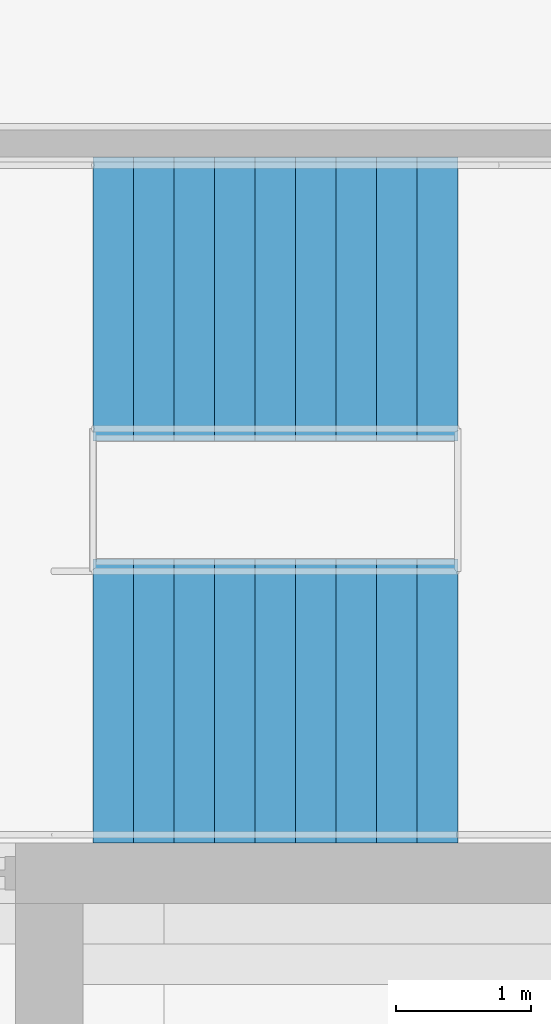
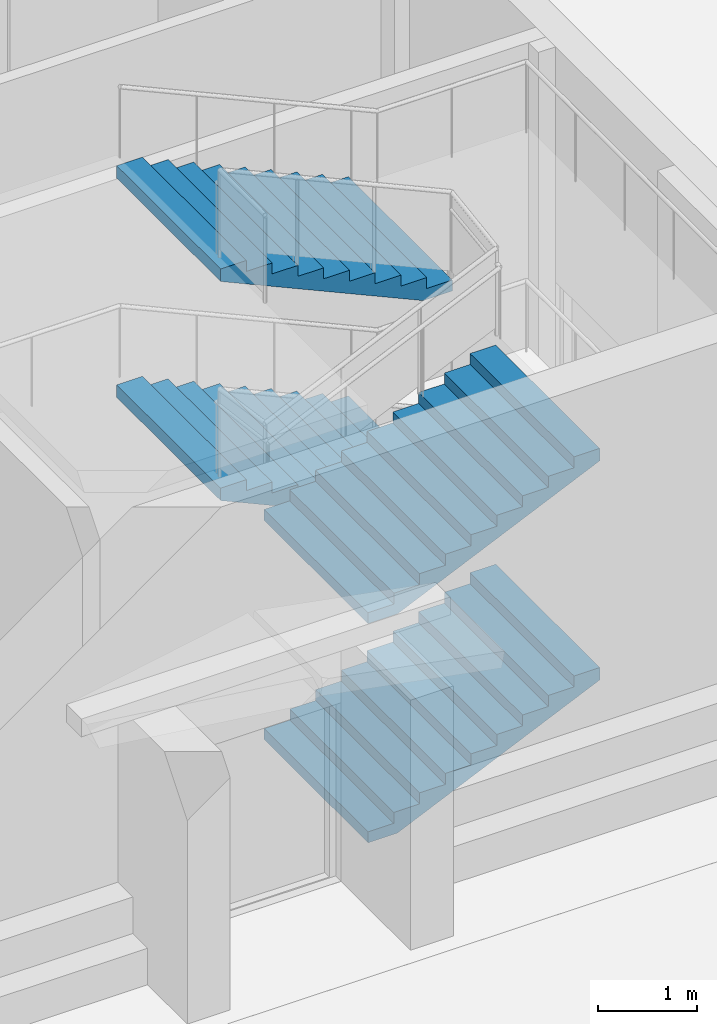
# One storey, part 56 of 74: 4 stair flights, 1 element without a shape of its own.
"""IFC4 building model written with IfcOpenShell, lengths in metres."""

from ifc_helpers import new_model, si_unit, direction, frame, origin, place, context, subcontext, project, spatial, faceted_brep, material, type_object, element, aggregate, save


model = new_model("IFC4")

# Units and contexts
model_context = context("Model", 3, precision=1e-05, world=origin(), true_north=direction((0.0, 1.0)))
body_context = subcontext(model_context, "Body", "Model", "MODEL_VIEW")
ifc_project = project(units=[si_unit("LENGTHUNIT", "METRE"), si_unit("AREAUNIT", "SQUARE_METRE"), si_unit("VOLUMEUNIT", "CUBIC_METRE"), si_unit("PLANEANGLEUNIT", "RADIAN"), si_unit("MASSUNIT", "GRAM", prefix="KILO")], contexts=[model_context])

# Site, building, storey
site_placement = place(None, origin())
site = spatial("IfcSite", under=ifc_project, at=site_placement, CompositionType="ELEMENT")
building_placement = place(site_placement, origin())
building = spatial("IfcBuilding", under=site, at=building_placement, Name="Rulbaag Community and Learning Centre", CompositionType="ELEMENT")
storey_placement = place(building_placement, origin())
storey = spatial("IfcBuildingStorey", under=building, at=storey_placement, Name="L00", CompositionType="ELEMENT", Elevation=0.0)

# Stair, stair flights
ifc_material = material(Name="Concrete M40", Category="concrete")
stair_type = type_object("IfcStairType", Name="ST-2100 STAIR 2100 WIDE", PredefinedType="HALF_TURN_STAIR", material=ifc_material)
stair_placement = place(storey_placement, origin())
stair = element("IfcStair", 1, at=stair_placement, inside=storey, type_object=stair_type, Name="Stair ST-H10 L00", PredefinedType="HALF_TURN_STAIR")
stair_flight_type = type_object("IfcStairFlightType", Name="FL-2100 FLIGHT 2100 WIDE Concrete M40", PredefinedType="STRAIGHT", material=ifc_material)
stair_flight_1_placement = place(storey_placement, frame((162.824951171875, 1.27490234375, 0.0), z_axis=(0.0, 0.0, 1.0), x_axis=(1.0, 0.0, 0.0)))
stair_flight_1 = element("IfcStairFlight", 2, at=stair_flight_1_placement, type_object=stair_flight_type, Name="ST-H10 flight 1", NumberOfRisers=10, NumberOfTreads=9, PredefinedType="STRAIGHT", RiserHeight=0.135, TreadLength=0.3, context=body_context, shape_type="Brep", body=[
    faceted_brep([(0.3408203125, -1.050048828125, 0.0), (2.699951171875, -1.050048828125, 1.0615234375), (2.699951171875, -1.050048828125, 1.215087890625), (2.39990234375, -1.050048828125, 1.215087890625), (2.39990234375, -1.050048828125, 1.080078125), (2.10009765625, -1.050048828125, 1.080078125), (2.10009765625, -1.050048828125, 0.945068359375), (1.800048828125, -1.050048828125, 0.945068359375), (1.800048828125, -1.050048828125, 0.81005859375), (1.5, -1.050048828125, 0.81005859375), (1.5, -1.050048828125, 0.675048828125), (1.199951171875, -1.050048828125, 0.675048828125), (1.199951171875, -1.050048828125, 0.5400390625), (0.89990234375, -1.050048828125, 0.5400390625), (0.89990234375, -1.050048828125, 0.405029296875), (0.60009765625, -1.050048828125, 0.405029296875), (0.60009765625, -1.050048828125, 0.27001953125), (0.300048828125, -1.050048828125, 0.27001953125), (0.300048828125, -1.050048828125, 0.135009765625), (0.0, -1.050048828125, 0.135009765625), (0.0, -1.050048828125, 0.0), (0.0, 1.050048828125, 0.0), (0.0, 1.050048828125, 0.135009765625), (0.300048828125, 1.050048828125, 0.135009765625), (0.300048828125, 1.050048828125, 0.27001953125), (0.60009765625, 1.050048828125, 0.27001953125), (0.60009765625, 1.050048828125, 0.405029296875), (0.89990234375, 1.050048828125, 0.405029296875), (0.89990234375, 1.050048828125, 0.5400390625), (1.199951171875, 1.050048828125, 0.5400390625), (1.199951171875, 1.050048828125, 0.675048828125), (1.5, 1.050048828125, 0.675048828125), (1.5, 1.050048828125, 0.81005859375), (1.800048828125, 1.050048828125, 0.81005859375), (1.800048828125, 1.050048828125, 0.945068359375), (2.10009765625, 1.050048828125, 0.945068359375), (2.10009765625, 1.050048828125, 1.080078125), (2.39990234375, 1.050048828125, 1.080078125), (2.39990234375, 1.050048828125, 1.215087890625), (2.699951171875, 1.050048828125, 1.215087890625), (2.699951171875, 1.050048828125, 1.0615234375), (0.3408203125, 1.050048828125, 0.0), (0.0, -0.52490234375, 0.135009765625), (0.0, -0.52490234375, 0.0), (0.0, 0.0, 0.135009765625), (0.0, 0.0, 0.0), (0.0, 0.52490234375, 0.135009765625), (0.0, 0.52490234375, 0.0), (0.300048828125, -0.52490234375, 0.135009765625), (0.300048828125, 0.0, 0.135009765625), (0.300048828125, 0.52490234375, 0.135009765625), (0.300048828125, -0.52490234375, 0.27001953125), (0.300048828125, 0.0, 0.27001953125), (0.300048828125, 0.52490234375, 0.27001953125), (0.60009765625, -0.52490234375, 0.27001953125), (0.60009765625, 0.0, 0.27001953125), (0.60009765625, 0.52490234375, 0.27001953125), (0.60009765625, -0.52490234375, 0.405029296875), (0.60009765625, 0.0, 0.405029296875), (0.60009765625, 0.52490234375, 0.405029296875), (0.89990234375, -0.52490234375, 0.405029296875), (0.89990234375, 0.0, 0.405029296875), (0.89990234375, 0.52490234375, 0.405029296875), (0.89990234375, -0.52490234375, 0.5400390625), (0.89990234375, 0.0, 0.5400390625), (0.89990234375, 0.52490234375, 0.5400390625), (1.199951171875, -0.52490234375, 0.5400390625), (1.199951171875, 0.0, 0.5400390625), (1.199951171875, 0.52490234375, 0.5400390625), (1.199951171875, -0.52490234375, 0.675048828125), (1.199951171875, 0.0, 0.675048828125), (1.199951171875, 0.52490234375, 0.675048828125), (1.5, -0.52490234375, 0.675048828125), (1.5, 0.0, 0.675048828125), (1.5, 0.52490234375, 0.675048828125), (1.5, -0.52490234375, 0.81005859375), (1.5, 0.0, 0.81005859375), (1.5, 0.52490234375, 0.81005859375), (1.800048828125, -0.52490234375, 0.81005859375), (1.800048828125, 0.0, 0.81005859375), (1.800048828125, 0.52490234375, 0.81005859375), (1.800048828125, -0.52490234375, 0.945068359375), (1.800048828125, 0.0, 0.945068359375), (1.800048828125, 0.52490234375, 0.945068359375), (2.10009765625, -0.52490234375, 0.945068359375), (2.10009765625, 0.0, 0.945068359375), (2.10009765625, 0.52490234375, 0.945068359375), (2.10009765625, -0.52490234375, 1.080078125), (2.10009765625, 0.0, 1.080078125), (2.10009765625, 0.52490234375, 1.080078125), (2.39990234375, -0.52490234375, 1.080078125), (2.39990234375, 0.0, 1.080078125), (2.39990234375, 0.52490234375, 1.080078125), (2.39990234375, -0.52490234375, 1.215087890625), (2.39990234375, 0.0, 1.215087890625), (2.39990234375, 0.52490234375, 1.215087890625), (2.699951171875, -0.52490234375, 1.215087890625), (2.699951171875, 0.0, 1.215087890625), (2.699951171875, 0.52490234375, 1.215087890625), (2.699951171875, -0.52490234375, 1.0615234375), (2.699951171875, 0.0, 1.0615234375), (2.699951171875, 0.52490234375, 1.0615234375), (0.3408203125, -0.52490234375, 0.0), (0.3408203125, 0.0, 0.0), (0.3408203125, 0.52490234375, 0.0)], [[[0, 1, 2, 3, 4, 5, 6, 7, 8, 9, 10, 11, 12, 13, 14, 15, 16, 17, 18, 19, 20]], [[21, 22, 23, 24, 25, 26, 27, 28, 29, 30, 31, 32, 33, 34, 35, 36, 37, 38, 39, 40, 41]], [[20, 19, 42, 43]], [[43, 42, 44, 45]], [[45, 44, 46, 47]], [[47, 46, 22, 21]], [[19, 18, 48, 42]], [[42, 48, 49, 44]], [[44, 49, 50, 46]], [[46, 50, 23, 22]], [[18, 17, 51, 48]], [[48, 51, 52, 49]], [[49, 52, 53, 50]], [[50, 53, 24, 23]], [[17, 16, 54, 51]], [[51, 54, 55, 52]], [[52, 55, 56, 53]], [[53, 56, 25, 24]], [[16, 15, 57, 54]], [[54, 57, 58, 55]], [[55, 58, 59, 56]], [[56, 59, 26, 25]], [[15, 14, 60, 57]], [[57, 60, 61, 58]], [[58, 61, 62, 59]], [[59, 62, 27, 26]], [[14, 13, 63, 60]], [[60, 63, 64, 61]], [[61, 64, 65, 62]], [[62, 65, 28, 27]], [[13, 12, 66, 63]], [[63, 66, 67, 64]], [[64, 67, 68, 65]], [[65, 68, 29, 28]], [[12, 11, 69, 66]], [[66, 69, 70, 67]], [[67, 70, 71, 68]], [[68, 71, 30, 29]], [[11, 10, 72, 69]], [[69, 72, 73, 70]], [[70, 73, 74, 71]], [[71, 74, 31, 30]], [[10, 9, 75, 72]], [[72, 75, 76, 73]], [[73, 76, 77, 74]], [[74, 77, 32, 31]], [[9, 8, 78, 75]], [[75, 78, 79, 76]], [[76, 79, 80, 77]], [[77, 80, 33, 32]], [[8, 7, 81, 78]], [[78, 81, 82, 79]], [[79, 82, 83, 80]], [[80, 83, 34, 33]], [[7, 6, 84, 81]], [[81, 84, 85, 82]], [[82, 85, 86, 83]], [[83, 86, 35, 34]], [[6, 5, 87, 84]], [[84, 87, 88, 85]], [[85, 88, 89, 86]], [[86, 89, 36, 35]], [[5, 4, 90, 87]], [[87, 90, 91, 88]], [[88, 91, 92, 89]], [[89, 92, 37, 36]], [[4, 3, 93, 90]], [[90, 93, 94, 91]], [[91, 94, 95, 92]], [[92, 95, 38, 37]], [[3, 2, 96, 93]], [[93, 96, 97, 94]], [[94, 97, 98, 95]], [[95, 98, 39, 38]], [[2, 1, 99, 96]], [[96, 99, 100, 97]], [[97, 100, 101, 98]], [[98, 101, 40, 39]], [[1, 0, 102, 99]], [[99, 102, 103, 100]], [[100, 103, 104, 101]], [[101, 104, 41, 40]], [[0, 20, 43, 102]], [[102, 43, 45, 103]], [[103, 45, 47, 104]], [[104, 47, 21, 41]]]),
])
stair_flight_2_placement = place(storey_placement, frame((165.52490234375, 4.25, 1.35009765625), z_axis=(0.0, 0.0, 1.0), x_axis=(-1.0, 0.0, 0.0)))
stair_flight_2 = element("IfcStairFlight", 3, at=stair_flight_2_placement, type_object=stair_flight_type, Name="ST-H10 flight 2", NumberOfRisers=10, NumberOfTreads=9, PredefinedType="STRAIGHT", RiserHeight=0.135, TreadLength=0.3, context=body_context, shape_type="Brep", body=[
    faceted_brep([(0.3408203125, -1.050048828125, 0.0), (2.699951171875, -1.050048828125, 1.0615234375), (2.699951171875, -1.050048828125, 1.215087890625), (2.39990234375, -1.050048828125, 1.215087890625), (2.39990234375, -1.050048828125, 1.080078125), (2.10009765625, -1.050048828125, 1.080078125), (2.10009765625, -1.050048828125, 0.945068359375), (1.800048828125, -1.050048828125, 0.945068359375), (1.800048828125, -1.050048828125, 0.81005859375), (1.5, -1.050048828125, 0.81005859375), (1.5, -1.050048828125, 0.675048828125), (1.199951171875, -1.050048828125, 0.675048828125), (1.199951171875, -1.050048828125, 0.5400390625), (0.89990234375, -1.050048828125, 0.5400390625), (0.89990234375, -1.050048828125, 0.405029296875), (0.60009765625, -1.050048828125, 0.405029296875), (0.60009765625, -1.050048828125, 0.27001953125), (0.300048828125, -1.050048828125, 0.27001953125), (0.300048828125, -1.050048828125, 0.135009765625), (0.0, -1.050048828125, 0.135009765625), (0.0, -1.050048828125, 0.0), (0.0, 1.050048828125, 0.0), (0.0, 1.050048828125, 0.135009765625), (0.300048828125, 1.050048828125, 0.135009765625), (0.300048828125, 1.050048828125, 0.27001953125), (0.60009765625, 1.050048828125, 0.27001953125), (0.60009765625, 1.050048828125, 0.405029296875), (0.89990234375, 1.050048828125, 0.405029296875), (0.89990234375, 1.050048828125, 0.5400390625), (1.199951171875, 1.050048828125, 0.5400390625), (1.199951171875, 1.050048828125, 0.675048828125), (1.5, 1.050048828125, 0.675048828125), (1.5, 1.050048828125, 0.81005859375), (1.800048828125, 1.050048828125, 0.81005859375), (1.800048828125, 1.050048828125, 0.945068359375), (2.10009765625, 1.050048828125, 0.945068359375), (2.10009765625, 1.050048828125, 1.080078125), (2.39990234375, 1.050048828125, 1.080078125), (2.39990234375, 1.050048828125, 1.215087890625), (2.699951171875, 1.050048828125, 1.215087890625), (2.699951171875, 1.050048828125, 1.0615234375), (0.3408203125, 1.050048828125, 0.0), (0.0, -0.52490234375, 0.135009765625), (0.0, -0.52490234375, 0.0), (0.0, 0.0, 0.135009765625), (0.0, 0.0, 0.0), (0.0, 0.52490234375, 0.135009765625), (0.0, 0.52490234375, 0.0), (0.300048828125, -0.52490234375, 0.135009765625), (0.300048828125, 0.0, 0.135009765625), (0.300048828125, 0.52490234375, 0.135009765625), (0.300048828125, -0.52490234375, 0.27001953125), (0.300048828125, 0.0, 0.27001953125), (0.300048828125, 0.52490234375, 0.27001953125), (0.60009765625, -0.52490234375, 0.27001953125), (0.60009765625, 0.0, 0.27001953125), (0.60009765625, 0.52490234375, 0.27001953125), (0.60009765625, -0.52490234375, 0.405029296875), (0.60009765625, 0.0, 0.405029296875), (0.60009765625, 0.52490234375, 0.405029296875), (0.89990234375, -0.52490234375, 0.405029296875), (0.89990234375, 0.0, 0.405029296875), (0.89990234375, 0.52490234375, 0.405029296875), (0.89990234375, -0.52490234375, 0.5400390625), (0.89990234375, 0.0, 0.5400390625), (0.89990234375, 0.52490234375, 0.5400390625), (1.199951171875, -0.52490234375, 0.5400390625), (1.199951171875, 0.0, 0.5400390625), (1.199951171875, 0.52490234375, 0.5400390625), (1.199951171875, -0.52490234375, 0.675048828125), (1.199951171875, 0.0, 0.675048828125), (1.199951171875, 0.52490234375, 0.675048828125), (1.5, -0.52490234375, 0.675048828125), (1.5, 0.0, 0.675048828125), (1.5, 0.52490234375, 0.675048828125), (1.5, -0.52490234375, 0.81005859375), (1.5, 0.0, 0.81005859375), (1.5, 0.52490234375, 0.81005859375), (1.800048828125, -0.52490234375, 0.81005859375), (1.800048828125, 0.0, 0.81005859375), (1.800048828125, 0.52490234375, 0.81005859375), (1.800048828125, -0.52490234375, 0.945068359375), (1.800048828125, 0.0, 0.945068359375), (1.800048828125, 0.52490234375, 0.945068359375), (2.10009765625, -0.52490234375, 0.945068359375), (2.10009765625, 0.0, 0.945068359375), (2.10009765625, 0.52490234375, 0.945068359375), (2.10009765625, -0.52490234375, 1.080078125), (2.10009765625, 0.0, 1.080078125), (2.10009765625, 0.52490234375, 1.080078125), (2.39990234375, -0.52490234375, 1.080078125), (2.39990234375, 0.0, 1.080078125), (2.39990234375, 0.52490234375, 1.080078125), (2.39990234375, -0.52490234375, 1.215087890625), (2.39990234375, 0.0, 1.215087890625), (2.39990234375, 0.52490234375, 1.215087890625), (2.699951171875, -0.52490234375, 1.215087890625), (2.699951171875, 0.0, 1.215087890625), (2.699951171875, 0.52490234375, 1.215087890625), (2.699951171875, -0.52490234375, 1.0615234375), (2.699951171875, 0.0, 1.0615234375), (2.699951171875, 0.52490234375, 1.0615234375), (0.3408203125, -0.52490234375, 0.0), (0.3408203125, 0.0, 0.0), (0.3408203125, 0.52490234375, 0.0)], [[[0, 1, 2, 3, 4, 5, 6, 7, 8, 9, 10, 11, 12, 13, 14, 15, 16, 17, 18, 19, 20]], [[21, 22, 23, 24, 25, 26, 27, 28, 29, 30, 31, 32, 33, 34, 35, 36, 37, 38, 39, 40, 41]], [[20, 19, 42, 43]], [[43, 42, 44, 45]], [[45, 44, 46, 47]], [[47, 46, 22, 21]], [[19, 18, 48, 42]], [[42, 48, 49, 44]], [[44, 49, 50, 46]], [[46, 50, 23, 22]], [[18, 17, 51, 48]], [[48, 51, 52, 49]], [[49, 52, 53, 50]], [[50, 53, 24, 23]], [[17, 16, 54, 51]], [[51, 54, 55, 52]], [[52, 55, 56, 53]], [[53, 56, 25, 24]], [[16, 15, 57, 54]], [[54, 57, 58, 55]], [[55, 58, 59, 56]], [[56, 59, 26, 25]], [[15, 14, 60, 57]], [[57, 60, 61, 58]], [[58, 61, 62, 59]], [[59, 62, 27, 26]], [[14, 13, 63, 60]], [[60, 63, 64, 61]], [[61, 64, 65, 62]], [[62, 65, 28, 27]], [[13, 12, 66, 63]], [[63, 66, 67, 64]], [[64, 67, 68, 65]], [[65, 68, 29, 28]], [[12, 11, 69, 66]], [[66, 69, 70, 67]], [[67, 70, 71, 68]], [[68, 71, 30, 29]], [[11, 10, 72, 69]], [[69, 72, 73, 70]], [[70, 73, 74, 71]], [[71, 74, 31, 30]], [[10, 9, 75, 72]], [[72, 75, 76, 73]], [[73, 76, 77, 74]], [[74, 77, 32, 31]], [[9, 8, 78, 75]], [[75, 78, 79, 76]], [[76, 79, 80, 77]], [[77, 80, 33, 32]], [[8, 7, 81, 78]], [[78, 81, 82, 79]], [[79, 82, 83, 80]], [[80, 83, 34, 33]], [[7, 6, 84, 81]], [[81, 84, 85, 82]], [[82, 85, 86, 83]], [[83, 86, 35, 34]], [[6, 5, 87, 84]], [[84, 87, 88, 85]], [[85, 88, 89, 86]], [[86, 89, 36, 35]], [[5, 4, 90, 87]], [[87, 90, 91, 88]], [[88, 91, 92, 89]], [[89, 92, 37, 36]], [[4, 3, 93, 90]], [[90, 93, 94, 91]], [[91, 94, 95, 92]], [[92, 95, 38, 37]], [[3, 2, 96, 93]], [[93, 96, 97, 94]], [[94, 97, 98, 95]], [[95, 98, 39, 38]], [[2, 1, 99, 96]], [[96, 99, 100, 97]], [[97, 100, 101, 98]], [[98, 101, 40, 39]], [[1, 0, 102, 99]], [[99, 102, 103, 100]], [[100, 103, 104, 101]], [[101, 104, 41, 40]], [[0, 20, 43, 102]], [[102, 43, 45, 103]], [[103, 45, 47, 104]], [[104, 47, 21, 41]]]),
])
stair_flight_3_placement = place(storey_placement, frame((162.824951171875, 1.27490234375, 2.699951171875), z_axis=(0.0, 0.0, 1.0), x_axis=(1.0, 0.0, 0.0)))
stair_flight_3 = element("IfcStairFlight", 4, at=stair_flight_3_placement, type_object=stair_flight_type, Name="ST-H10 flight 3", NumberOfRisers=10, NumberOfTreads=9, PredefinedType="STRAIGHT", RiserHeight=0.135, TreadLength=0.3, context=body_context, shape_type="Brep", body=[
    faceted_brep([(0.3408203125, -1.050048828125, 0.0), (2.699951171875, -1.050048828125, 1.0615234375), (2.699951171875, -1.050048828125, 1.215087890625), (2.39990234375, -1.050048828125, 1.215087890625), (2.39990234375, -1.050048828125, 1.080078125), (2.10009765625, -1.050048828125, 1.080078125), (2.10009765625, -1.050048828125, 0.945068359375), (1.800048828125, -1.050048828125, 0.945068359375), (1.800048828125, -1.050048828125, 0.81005859375), (1.5, -1.050048828125, 0.81005859375), (1.5, -1.050048828125, 0.675048828125), (1.199951171875, -1.050048828125, 0.675048828125), (1.199951171875, -1.050048828125, 0.5400390625), (0.89990234375, -1.050048828125, 0.5400390625), (0.89990234375, -1.050048828125, 0.405029296875), (0.60009765625, -1.050048828125, 0.405029296875), (0.60009765625, -1.050048828125, 0.27001953125), (0.300048828125, -1.050048828125, 0.27001953125), (0.300048828125, -1.050048828125, 0.135009765625), (0.0, -1.050048828125, 0.135009765625), (0.0, -1.050048828125, 0.0), (0.0, 1.050048828125, 0.0), (0.0, 1.050048828125, 0.135009765625), (0.300048828125, 1.050048828125, 0.135009765625), (0.300048828125, 1.050048828125, 0.27001953125), (0.60009765625, 1.050048828125, 0.27001953125), (0.60009765625, 1.050048828125, 0.405029296875), (0.89990234375, 1.050048828125, 0.405029296875), (0.89990234375, 1.050048828125, 0.5400390625), (1.199951171875, 1.050048828125, 0.5400390625), (1.199951171875, 1.050048828125, 0.675048828125), (1.5, 1.050048828125, 0.675048828125), (1.5, 1.050048828125, 0.81005859375), (1.800048828125, 1.050048828125, 0.81005859375), (1.800048828125, 1.050048828125, 0.945068359375), (2.10009765625, 1.050048828125, 0.945068359375), (2.10009765625, 1.050048828125, 1.080078125), (2.39990234375, 1.050048828125, 1.080078125), (2.39990234375, 1.050048828125, 1.215087890625), (2.699951171875, 1.050048828125, 1.215087890625), (2.699951171875, 1.050048828125, 1.0615234375), (0.3408203125, 1.050048828125, 0.0), (0.0, -0.52490234375, 0.135009765625), (0.0, -0.52490234375, 0.0), (0.0, 0.0, 0.135009765625), (0.0, 0.0, 0.0), (0.0, 0.52490234375, 0.135009765625), (0.0, 0.52490234375, 0.0), (0.300048828125, -0.52490234375, 0.135009765625), (0.300048828125, 0.0, 0.135009765625), (0.300048828125, 0.52490234375, 0.135009765625), (0.300048828125, -0.52490234375, 0.27001953125), (0.300048828125, 0.0, 0.27001953125), (0.300048828125, 0.52490234375, 0.27001953125), (0.60009765625, -0.52490234375, 0.27001953125), (0.60009765625, 0.0, 0.27001953125), (0.60009765625, 0.52490234375, 0.27001953125), (0.60009765625, -0.52490234375, 0.405029296875), (0.60009765625, 0.0, 0.405029296875), (0.60009765625, 0.52490234375, 0.405029296875), (0.89990234375, -0.52490234375, 0.405029296875), (0.89990234375, 0.0, 0.405029296875), (0.89990234375, 0.52490234375, 0.405029296875), (0.89990234375, -0.52490234375, 0.5400390625), (0.89990234375, 0.0, 0.5400390625), (0.89990234375, 0.52490234375, 0.5400390625), (1.199951171875, -0.52490234375, 0.5400390625), (1.199951171875, 0.0, 0.5400390625), (1.199951171875, 0.52490234375, 0.5400390625), (1.199951171875, -0.52490234375, 0.675048828125), (1.199951171875, 0.0, 0.675048828125), (1.199951171875, 0.52490234375, 0.675048828125), (1.5, -0.52490234375, 0.675048828125), (1.5, 0.0, 0.675048828125), (1.5, 0.52490234375, 0.675048828125), (1.5, -0.52490234375, 0.81005859375), (1.5, 0.0, 0.81005859375), (1.5, 0.52490234375, 0.81005859375), (1.800048828125, -0.52490234375, 0.81005859375), (1.800048828125, 0.0, 0.81005859375), (1.800048828125, 0.52490234375, 0.81005859375), (1.800048828125, -0.52490234375, 0.945068359375), (1.800048828125, 0.0, 0.945068359375), (1.800048828125, 0.52490234375, 0.945068359375), (2.10009765625, -0.52490234375, 0.945068359375), (2.10009765625, 0.0, 0.945068359375), (2.10009765625, 0.52490234375, 0.945068359375), (2.10009765625, -0.52490234375, 1.080078125), (2.10009765625, 0.0, 1.080078125), (2.10009765625, 0.52490234375, 1.080078125), (2.39990234375, -0.52490234375, 1.080078125), (2.39990234375, 0.0, 1.080078125), (2.39990234375, 0.52490234375, 1.080078125), (2.39990234375, -0.52490234375, 1.215087890625), (2.39990234375, 0.0, 1.215087890625), (2.39990234375, 0.52490234375, 1.215087890625), (2.699951171875, -0.52490234375, 1.215087890625), (2.699951171875, 0.0, 1.215087890625), (2.699951171875, 0.52490234375, 1.215087890625), (2.699951171875, -0.52490234375, 1.0615234375), (2.699951171875, 0.0, 1.0615234375), (2.699951171875, 0.52490234375, 1.0615234375), (0.3408203125, -0.52490234375, 0.0), (0.3408203125, 0.0, 0.0), (0.3408203125, 0.52490234375, 0.0)], [[[0, 1, 2, 3, 4, 5, 6, 7, 8, 9, 10, 11, 12, 13, 14, 15, 16, 17, 18, 19, 20]], [[21, 22, 23, 24, 25, 26, 27, 28, 29, 30, 31, 32, 33, 34, 35, 36, 37, 38, 39, 40, 41]], [[20, 19, 42, 43]], [[43, 42, 44, 45]], [[45, 44, 46, 47]], [[47, 46, 22, 21]], [[19, 18, 48, 42]], [[42, 48, 49, 44]], [[44, 49, 50, 46]], [[46, 50, 23, 22]], [[18, 17, 51, 48]], [[48, 51, 52, 49]], [[49, 52, 53, 50]], [[50, 53, 24, 23]], [[17, 16, 54, 51]], [[51, 54, 55, 52]], [[52, 55, 56, 53]], [[53, 56, 25, 24]], [[16, 15, 57, 54]], [[54, 57, 58, 55]], [[55, 58, 59, 56]], [[56, 59, 26, 25]], [[15, 14, 60, 57]], [[57, 60, 61, 58]], [[58, 61, 62, 59]], [[59, 62, 27, 26]], [[14, 13, 63, 60]], [[60, 63, 64, 61]], [[61, 64, 65, 62]], [[62, 65, 28, 27]], [[13, 12, 66, 63]], [[63, 66, 67, 64]], [[64, 67, 68, 65]], [[65, 68, 29, 28]], [[12, 11, 69, 66]], [[66, 69, 70, 67]], [[67, 70, 71, 68]], [[68, 71, 30, 29]], [[11, 10, 72, 69]], [[69, 72, 73, 70]], [[70, 73, 74, 71]], [[71, 74, 31, 30]], [[10, 9, 75, 72]], [[72, 75, 76, 73]], [[73, 76, 77, 74]], [[74, 77, 32, 31]], [[9, 8, 78, 75]], [[75, 78, 79, 76]], [[76, 79, 80, 77]], [[77, 80, 33, 32]], [[8, 7, 81, 78]], [[78, 81, 82, 79]], [[79, 82, 83, 80]], [[80, 83, 34, 33]], [[7, 6, 84, 81]], [[81, 84, 85, 82]], [[82, 85, 86, 83]], [[83, 86, 35, 34]], [[6, 5, 87, 84]], [[84, 87, 88, 85]], [[85, 88, 89, 86]], [[86, 89, 36, 35]], [[5, 4, 90, 87]], [[87, 90, 91, 88]], [[88, 91, 92, 89]], [[89, 92, 37, 36]], [[4, 3, 93, 90]], [[90, 93, 94, 91]], [[91, 94, 95, 92]], [[92, 95, 38, 37]], [[3, 2, 96, 93]], [[93, 96, 97, 94]], [[94, 97, 98, 95]], [[95, 98, 39, 38]], [[2, 1, 99, 96]], [[96, 99, 100, 97]], [[97, 100, 101, 98]], [[98, 101, 40, 39]], [[1, 0, 102, 99]], [[99, 102, 103, 100]], [[100, 103, 104, 101]], [[101, 104, 41, 40]], [[0, 20, 43, 102]], [[102, 43, 45, 103]], [[103, 45, 47, 104]], [[104, 47, 21, 41]]]),
])
stair_flight_4_placement = place(storey_placement, frame((165.52490234375, 4.25, 4.050048828125), z_axis=(0.0, 0.0, 1.0), x_axis=(-1.0, 0.0, 0.0)))
stair_flight_4 = element("IfcStairFlight", 5, at=stair_flight_4_placement, type_object=stair_flight_type, Name="ST-H10 flight 4", NumberOfRisers=10, NumberOfTreads=9, PredefinedType="STRAIGHT", RiserHeight=0.135, TreadLength=0.3, context=body_context, shape_type="Brep", body=[
    faceted_brep([(0.3408203125, -1.050048828125, 0.0), (2.699951171875, -1.050048828125, 1.0615234375), (2.699951171875, -1.050048828125, 1.215087890625), (2.39990234375, -1.050048828125, 1.215087890625), (2.39990234375, -1.050048828125, 1.080078125), (2.10009765625, -1.050048828125, 1.080078125), (2.10009765625, -1.050048828125, 0.945068359375), (1.800048828125, -1.050048828125, 0.945068359375), (1.800048828125, -1.050048828125, 0.81005859375), (1.5, -1.050048828125, 0.81005859375), (1.5, -1.050048828125, 0.675048828125), (1.199951171875, -1.050048828125, 0.675048828125), (1.199951171875, -1.050048828125, 0.5400390625), (0.89990234375, -1.050048828125, 0.5400390625), (0.89990234375, -1.050048828125, 0.405029296875), (0.60009765625, -1.050048828125, 0.405029296875), (0.60009765625, -1.050048828125, 0.27001953125), (0.300048828125, -1.050048828125, 0.27001953125), (0.300048828125, -1.050048828125, 0.135009765625), (0.0, -1.050048828125, 0.135009765625), (0.0, -1.050048828125, 0.0), (0.0, 1.050048828125, 0.0), (0.0, 1.050048828125, 0.135009765625), (0.300048828125, 1.050048828125, 0.135009765625), (0.300048828125, 1.050048828125, 0.27001953125), (0.60009765625, 1.050048828125, 0.27001953125), (0.60009765625, 1.050048828125, 0.405029296875), (0.89990234375, 1.050048828125, 0.405029296875), (0.89990234375, 1.050048828125, 0.5400390625), (1.199951171875, 1.050048828125, 0.5400390625), (1.199951171875, 1.050048828125, 0.675048828125), (1.5, 1.050048828125, 0.675048828125), (1.5, 1.050048828125, 0.81005859375), (1.800048828125, 1.050048828125, 0.81005859375), (1.800048828125, 1.050048828125, 0.945068359375), (2.10009765625, 1.050048828125, 0.945068359375), (2.10009765625, 1.050048828125, 1.080078125), (2.39990234375, 1.050048828125, 1.080078125), (2.39990234375, 1.050048828125, 1.215087890625), (2.699951171875, 1.050048828125, 1.215087890625), (2.699951171875, 1.050048828125, 1.0615234375), (0.3408203125, 1.050048828125, 0.0), (0.0, -0.52490234375, 0.135009765625), (0.0, -0.52490234375, 0.0), (0.0, 0.0, 0.135009765625), (0.0, 0.0, 0.0), (0.0, 0.52490234375, 0.135009765625), (0.0, 0.52490234375, 0.0), (0.300048828125, -0.52490234375, 0.135009765625), (0.300048828125, 0.0, 0.135009765625), (0.300048828125, 0.52490234375, 0.135009765625), (0.300048828125, -0.52490234375, 0.27001953125), (0.300048828125, 0.0, 0.27001953125), (0.300048828125, 0.52490234375, 0.27001953125), (0.60009765625, -0.52490234375, 0.27001953125), (0.60009765625, 0.0, 0.27001953125), (0.60009765625, 0.52490234375, 0.27001953125), (0.60009765625, -0.52490234375, 0.405029296875), (0.60009765625, 0.0, 0.405029296875), (0.60009765625, 0.52490234375, 0.405029296875), (0.89990234375, -0.52490234375, 0.405029296875), (0.89990234375, 0.0, 0.405029296875), (0.89990234375, 0.52490234375, 0.405029296875), (0.89990234375, -0.52490234375, 0.5400390625), (0.89990234375, 0.0, 0.5400390625), (0.89990234375, 0.52490234375, 0.5400390625), (1.199951171875, -0.52490234375, 0.5400390625), (1.199951171875, 0.0, 0.5400390625), (1.199951171875, 0.52490234375, 0.5400390625), (1.199951171875, -0.52490234375, 0.675048828125), (1.199951171875, 0.0, 0.675048828125), (1.199951171875, 0.52490234375, 0.675048828125), (1.5, -0.52490234375, 0.675048828125), (1.5, 0.0, 0.675048828125), (1.5, 0.52490234375, 0.675048828125), (1.5, -0.52490234375, 0.81005859375), (1.5, 0.0, 0.81005859375), (1.5, 0.52490234375, 0.81005859375), (1.800048828125, -0.52490234375, 0.81005859375), (1.800048828125, 0.0, 0.81005859375), (1.800048828125, 0.52490234375, 0.81005859375), (1.800048828125, -0.52490234375, 0.945068359375), (1.800048828125, 0.0, 0.945068359375), (1.800048828125, 0.52490234375, 0.945068359375), (2.10009765625, -0.52490234375, 0.945068359375), (2.10009765625, 0.0, 0.945068359375), (2.10009765625, 0.52490234375, 0.945068359375), (2.10009765625, -0.52490234375, 1.080078125), (2.10009765625, 0.0, 1.080078125), (2.10009765625, 0.52490234375, 1.080078125), (2.39990234375, -0.52490234375, 1.080078125), (2.39990234375, 0.0, 1.080078125), (2.39990234375, 0.52490234375, 1.080078125), (2.39990234375, -0.52490234375, 1.215087890625), (2.39990234375, 0.0, 1.215087890625), (2.39990234375, 0.52490234375, 1.215087890625), (2.699951171875, -0.52490234375, 1.215087890625), (2.699951171875, 0.0, 1.215087890625), (2.699951171875, 0.52490234375, 1.215087890625), (2.699951171875, -0.52490234375, 1.0615234375), (2.699951171875, 0.0, 1.0615234375), (2.699951171875, 0.52490234375, 1.0615234375), (0.3408203125, -0.52490234375, 0.0), (0.3408203125, 0.0, 0.0), (0.3408203125, 0.52490234375, 0.0)], [[[0, 1, 2, 3, 4, 5, 6, 7, 8, 9, 10, 11, 12, 13, 14, 15, 16, 17, 18, 19, 20]], [[21, 22, 23, 24, 25, 26, 27, 28, 29, 30, 31, 32, 33, 34, 35, 36, 37, 38, 39, 40, 41]], [[20, 19, 42, 43]], [[43, 42, 44, 45]], [[45, 44, 46, 47]], [[47, 46, 22, 21]], [[19, 18, 48, 42]], [[42, 48, 49, 44]], [[44, 49, 50, 46]], [[46, 50, 23, 22]], [[18, 17, 51, 48]], [[48, 51, 52, 49]], [[49, 52, 53, 50]], [[50, 53, 24, 23]], [[17, 16, 54, 51]], [[51, 54, 55, 52]], [[52, 55, 56, 53]], [[53, 56, 25, 24]], [[16, 15, 57, 54]], [[54, 57, 58, 55]], [[55, 58, 59, 56]], [[56, 59, 26, 25]], [[15, 14, 60, 57]], [[57, 60, 61, 58]], [[58, 61, 62, 59]], [[59, 62, 27, 26]], [[14, 13, 63, 60]], [[60, 63, 64, 61]], [[61, 64, 65, 62]], [[62, 65, 28, 27]], [[13, 12, 66, 63]], [[63, 66, 67, 64]], [[64, 67, 68, 65]], [[65, 68, 29, 28]], [[12, 11, 69, 66]], [[66, 69, 70, 67]], [[67, 70, 71, 68]], [[68, 71, 30, 29]], [[11, 10, 72, 69]], [[69, 72, 73, 70]], [[70, 73, 74, 71]], [[71, 74, 31, 30]], [[10, 9, 75, 72]], [[72, 75, 76, 73]], [[73, 76, 77, 74]], [[74, 77, 32, 31]], [[9, 8, 78, 75]], [[75, 78, 79, 76]], [[76, 79, 80, 77]], [[77, 80, 33, 32]], [[8, 7, 81, 78]], [[78, 81, 82, 79]], [[79, 82, 83, 80]], [[80, 83, 34, 33]], [[7, 6, 84, 81]], [[81, 84, 85, 82]], [[82, 85, 86, 83]], [[83, 86, 35, 34]], [[6, 5, 87, 84]], [[84, 87, 88, 85]], [[85, 88, 89, 86]], [[86, 89, 36, 35]], [[5, 4, 90, 87]], [[87, 90, 91, 88]], [[88, 91, 92, 89]], [[89, 92, 37, 36]], [[4, 3, 93, 90]], [[90, 93, 94, 91]], [[91, 94, 95, 92]], [[92, 95, 38, 37]], [[3, 2, 96, 93]], [[93, 96, 97, 94]], [[94, 97, 98, 95]], [[95, 98, 39, 38]], [[2, 1, 99, 96]], [[96, 99, 100, 97]], [[97, 100, 101, 98]], [[98, 101, 40, 39]], [[1, 0, 102, 99]], [[99, 102, 103, 100]], [[100, 103, 104, 101]], [[101, 104, 41, 40]], [[0, 20, 43, 102]], [[102, 43, 45, 103]], [[103, 45, 47, 104]], [[104, 47, 21, 41]]]),
])
aggregate(stair, [stair_flight_1, stair_flight_2, stair_flight_3, stair_flight_4])

save(model, "model.ifc")
